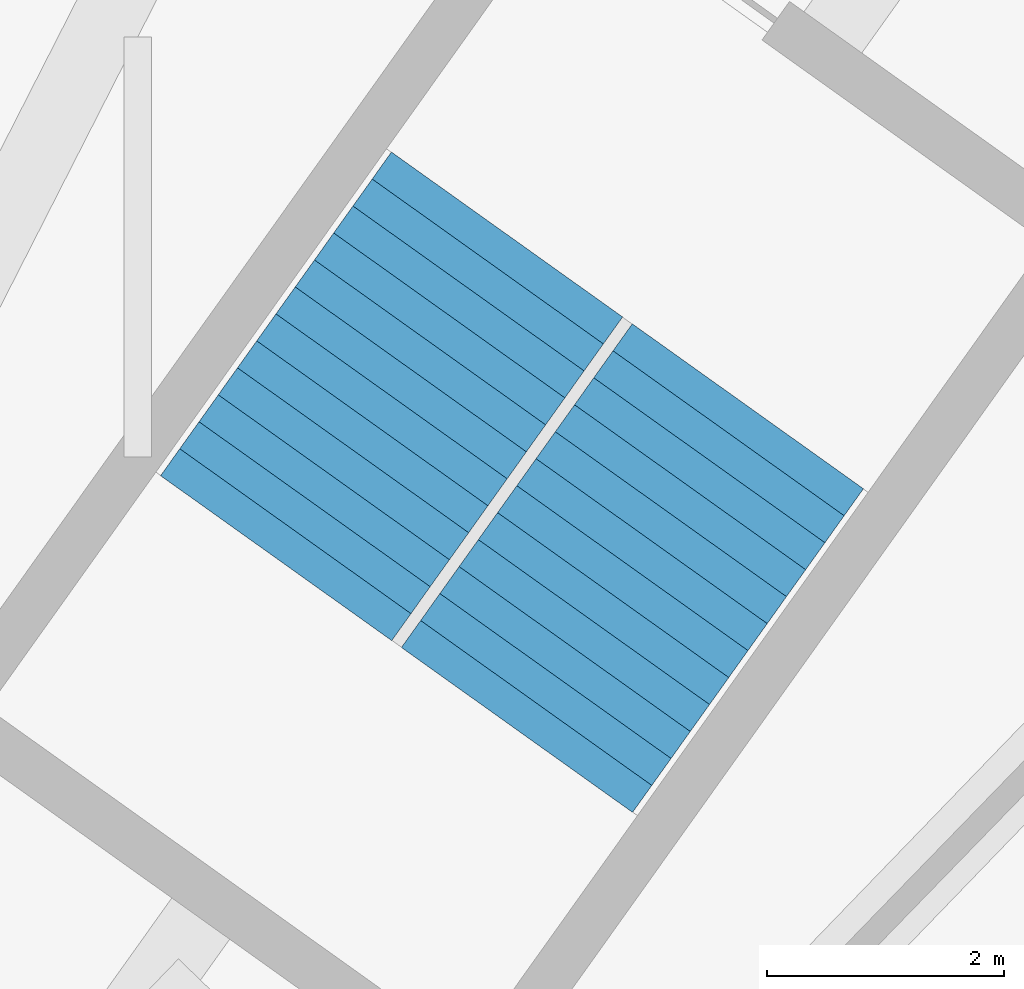
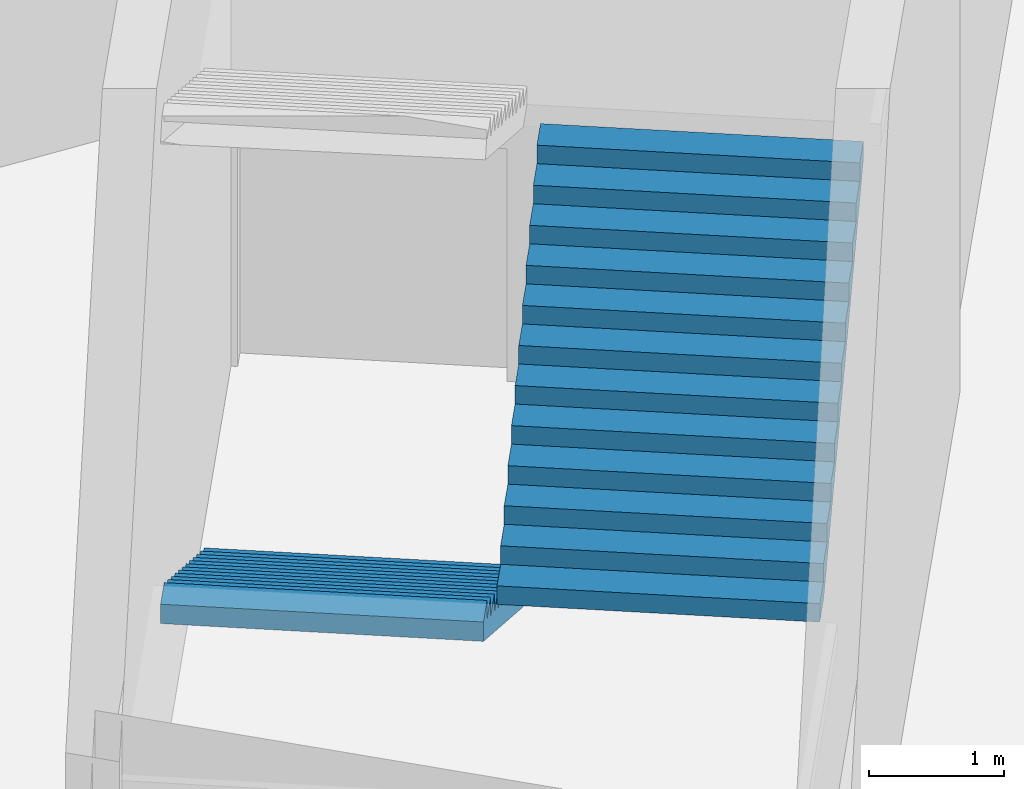
# One storey, part 41 of 47: 2 stair flights, 1 element without a shape of its own.
"""IFC4 building model written with IfcOpenShell, lengths in metres."""

from ifc_helpers import new_model, si_unit, direction, frame, origin, place, context, subcontext, project, spatial, triangles, material, type_object, element, aggregate, save


model = new_model("IFC4")

# Units and contexts
model_context = context("Model", 3, precision=1e-05, world=origin(), true_north=direction((0.0, 1.0)))
body_context = subcontext(model_context, "Body", "Model", "MODEL_VIEW")
ifc_project = project(units=[si_unit("LENGTHUNIT", "METRE"), si_unit("AREAUNIT", "SQUARE_METRE"), si_unit("VOLUMEUNIT", "CUBIC_METRE"), si_unit("PLANEANGLEUNIT", "RADIAN"), si_unit("MASSUNIT", "GRAM", prefix="KILO")], contexts=[model_context])

# Site, building, storey
site_placement = place(None, origin())
site = spatial("IfcSite", under=ifc_project, at=site_placement, CompositionType="ELEMENT")
building_placement = place(site_placement, origin())
building = spatial("IfcBuilding", under=site, at=building_placement, Name="Lantaw Convention Tower", CompositionType="ELEMENT")
storey_placement = place(building_placement, origin())
storey = spatial("IfcBuildingStorey", under=building, at=storey_placement, Name="L00", CompositionType="ELEMENT", Elevation=0.0)

# Stair, stair flights
ifc_material = material(Name="Concrete C35/45", Category="concrete")
stair_type = type_object("IfcStairType", Name="Exit stair 2400 riser 166.67 in 3 flights", PredefinedType="HALF_TURN_STAIR", material=ifc_material)
stair_placement = place(storey_placement, origin())
stair = element("IfcStair", 1, at=stair_placement, inside=storey, type_object=stair_type, Name="Podium exit stair P4 L00", PredefinedType="HALF_TURN_STAIR")
stair_flight_type = type_object("IfcStairFlightType", Name="Stair flight 2400 riser 166.67", PredefinedType="STRAIGHT", material=ifc_material)
stair_flight_1_placement = place(storey_placement, frame((18.92138671875, 28.679443359375, 0.0), z_axis=(0.0, 0.0, 1.0), x_axis=(-0.580702955711, -0.814115518356, 0.0)))
stair_flight_1 = element("IfcStairFlight", 2, at=stair_flight_1_placement, type_object=stair_flight_type, Name="P4 flight 1", NumberOfRisers=13, NumberOfTreads=12, PredefinedType="STRAIGHT", RiserHeight=0.166666667, TreadLength=0.28, context=body_context, shape_type="Tessellation", body=[
    triangles([(0.0, 1.199951171875, 0.0), (0.0, 1.199951171875, 0.166666667), (0.28, 1.199951171875, 0.0), (0.28, 1.199951171875, 0.166666667), (0.28, 1.199951171875, 0.333333334), (0.29307345806906815, 1.199951171875, 0.0), (0.29307345806906815, 1.199951171875, 0.333333334), (0.56, 1.199951171875, 0.15888484670522912), (0.56, 1.199951171875, 0.333333334), (0.56, 1.199951171875, 0.500000001), (0.8400000000000001, 1.199951171875, 0.3255515137052291), (0.8400000000000001, 1.199951171875, 0.500000001), (0.8400000000000001, 1.199951171875, 0.666666668), (1.12, 1.199951171875, 0.49221818070522905), (1.12, 1.199951171875, 0.666666668), (1.12, 1.199951171875, 0.833333335), (1.4000000000000001, 1.199951171875, 0.658884847705229), (1.4000000000000001, 1.199951171875, 0.833333335), (1.4000000000000001, 1.199951171875, 1.000000002), (1.6800000000000002, 1.199951171875, 0.825551514705229), (1.6800000000000002, 1.199951171875, 1.000000002), (1.6800000000000002, 1.199951171875, 1.166666669), (1.9600000000000002, 1.199951171875, 0.992218181705229), (1.9600000000000002, 1.199951171875, 1.166666669), (1.9600000000000002, 1.199951171875, 1.333333336), (2.24, 1.199951171875, 1.158884848705229), (2.24, 1.199951171875, 1.333333336), (2.24, 1.199951171875, 1.5000000029999998), (2.5200000000000005, 1.199951171875, 1.325551515705229), (2.5200000000000005, 1.199951171875, 1.5000000029999998), (2.5200000000000005, 1.199951171875, 1.66666667), (2.8000000000000003, 1.199951171875, 1.492218182705229), (2.8000000000000003, 1.199951171875, 1.66666667), (2.8000000000000003, 1.199951171875, 1.833333337), (3.08, 1.199951171875, 1.6588848497052289), (3.08, 1.199951171875, 1.833333337), (3.08, 1.199951171875, 2.000000004), (3.3600000000000003, 1.199951171875, 1.825551516705229), (3.3600000000000003, 1.199951171875, 2.000000004), (0.0, -1.199951171875, 0.0), (0.0, -1.199951171875, 0.166666667), (0.28, -1.199951171875, 0.0), (0.28, -1.199951171875, 0.166666667), (0.28, -1.199951171875, 0.333333334), (0.29307345806906815, -1.199951171875, 0.0), (0.29307345806906815, -1.199951171875, 0.333333334), (0.56, -1.199951171875, 0.15888484670522912), (0.56, -1.199951171875, 0.333333334), (0.56, -1.199951171875, 0.500000001), (0.8400000000000001, -1.199951171875, 0.3255515137052291), (0.8400000000000001, -1.199951171875, 0.500000001), (0.8400000000000001, -1.199951171875, 0.666666668), (1.12, -1.199951171875, 0.49221818070522905), (1.12, -1.199951171875, 0.666666668), (1.12, -1.199951171875, 0.833333335), (1.4000000000000001, -1.199951171875, 0.658884847705229), (1.4000000000000001, -1.199951171875, 0.833333335), (1.4000000000000001, -1.199951171875, 1.000000002), (1.6800000000000002, -1.199951171875, 0.825551514705229), (1.6800000000000002, -1.199951171875, 1.000000002), (1.6800000000000002, -1.199951171875, 1.166666669), (1.9600000000000002, -1.199951171875, 0.992218181705229), (1.9600000000000002, -1.199951171875, 1.166666669), (1.9600000000000002, -1.199951171875, 1.333333336), (2.24, -1.199951171875, 1.158884848705229), (2.24, -1.199951171875, 1.333333336), (2.24, -1.199951171875, 1.5000000029999998), (2.5200000000000005, -1.199951171875, 1.325551515705229), (2.5200000000000005, -1.199951171875, 1.5000000029999998), (2.5200000000000005, -1.199951171875, 1.66666667), (2.8000000000000003, -1.199951171875, 1.492218182705229), (2.8000000000000003, -1.199951171875, 1.66666667), (2.8000000000000003, -1.199951171875, 1.833333337), (3.08, -1.199951171875, 1.6588848497052289), (3.08, -1.199951171875, 1.833333337), (3.08, -1.199951171875, 2.000000004), (3.3600000000000003, -1.199951171875, 1.825551516705229), (3.3600000000000003, -1.199951171875, 2.000000004), (0.0, 0.239990234375, 0.166666667), (0.0, 0.239990234375, 0.0), (0.0, 0.0, 0.166666667), (0.0, 0.0, 0.0), (0.0, -0.239990234375, 0.166666667), (0.0, -0.239990234375, 0.0), (0.28, 0.239990234375, 0.333333334), (0.28, 0.239990234375, 0.166666667), (0.28, 0.0, 0.333333334), (0.28, 0.0, 0.166666667), (0.28, -0.239990234375, 0.333333334), (0.28, -0.239990234375, 0.166666667), (0.56, 0.239990234375, 0.500000001), (0.56, 0.239990234375, 0.333333334), (0.56, 0.0, 0.500000001), (0.56, 0.0, 0.333333334), (0.56, -0.239990234375, 0.500000001), (0.56, -0.239990234375, 0.333333334), (0.8400000000000001, 0.239990234375, 0.666666668), (0.8400000000000001, 0.239990234375, 0.500000001), (0.8400000000000001, 0.0, 0.666666668), (0.8400000000000001, 0.0, 0.500000001), (0.8400000000000001, -0.239990234375, 0.666666668), (0.8400000000000001, -0.239990234375, 0.500000001), (1.12, 0.239990234375, 0.833333335), (1.12, 0.239990234375, 0.666666668), (1.12, 0.0, 0.833333335), (1.12, 0.0, 0.666666668), (1.12, -0.239990234375, 0.833333335), (1.12, -0.239990234375, 0.666666668), (1.4000000000000001, 0.239990234375, 1.000000002), (1.4000000000000001, 0.239990234375, 0.833333335), (1.4000000000000001, 0.0, 1.000000002), (1.4000000000000001, 0.0, 0.833333335), (1.4000000000000001, -0.239990234375, 1.000000002), (1.4000000000000001, -0.239990234375, 0.833333335), (1.6800000000000002, 0.239990234375, 1.166666669), (1.6800000000000002, 0.239990234375, 1.000000002), (1.6800000000000002, 0.0, 1.166666669), (1.6800000000000002, 0.0, 1.000000002), (1.6800000000000002, -0.239990234375, 1.166666669), (1.6800000000000002, -0.239990234375, 1.000000002), (1.9600000000000002, 0.239990234375, 1.333333336), (1.9600000000000002, 0.239990234375, 1.166666669), (1.9600000000000002, 0.0, 1.333333336), (1.9600000000000002, 0.0, 1.166666669), (1.9600000000000002, -0.239990234375, 1.333333336), (1.9600000000000002, -0.239990234375, 1.166666669), (2.24, 0.239990234375, 1.5000000029999998), (2.24, 0.239990234375, 1.333333336), (2.24, 0.0, 1.5000000029999998), (2.24, 0.0, 1.333333336), (2.24, -0.239990234375, 1.5000000029999998), (2.24, -0.239990234375, 1.333333336), (2.5200000000000005, 0.239990234375, 1.66666667), (2.5200000000000005, 0.239990234375, 1.5000000029999998), (2.5200000000000005, 0.0, 1.66666667), (2.5200000000000005, 0.0, 1.5000000029999998), (2.5200000000000005, -0.239990234375, 1.66666667), (2.5200000000000005, -0.239990234375, 1.5000000029999998), (2.8000000000000003, 0.239990234375, 1.833333337), (2.8000000000000003, 0.239990234375, 1.66666667), (2.8000000000000003, 0.0, 1.833333337), (2.8000000000000003, 0.0, 1.66666667), (2.8000000000000003, -0.239990234375, 1.833333337), (2.8000000000000003, -0.239990234375, 1.66666667), (3.08, 0.239990234375, 2.000000004), (3.08, 0.239990234375, 1.833333337), (3.08, 0.0, 2.000000004), (3.08, 0.0, 1.833333337), (3.08, -0.239990234375, 2.000000004), (3.08, -0.239990234375, 1.833333337), (0.29307345806906815, 0.239990234375, 0.333333334), (0.29307345806906815, 0.0, 0.333333334), (0.29307345806906815, -0.239990234375, 0.333333334), (3.3600000000000003, 0.239990234375, 2.000000004), (3.3600000000000003, 0.0, 2.000000004), (3.3600000000000003, -0.239990234375, 2.000000004), (3.3600000000000003, 0.239990234375, 1.8255515167052292), (3.3600000000000003, 0.0, 1.8255515167052292), (3.3600000000000003, -0.239990234375, 1.8255515167052292), (3.08, 0.239990234375, 1.6588848497052289), (3.08, 0.0, 1.6588848497052289), (3.08, -0.239990234375, 1.6588848497052289), (2.8000000000000003, 0.239990234375, 1.492218182705229), (2.8000000000000003, 0.0, 1.492218182705229), (2.8000000000000003, -0.239990234375, 1.492218182705229), (2.5200000000000005, 0.239990234375, 1.325551515705229), (2.5200000000000005, 0.0, 1.325551515705229), (2.5200000000000005, -0.239990234375, 1.325551515705229), (2.24, 0.239990234375, 1.158884848705229), (2.24, 0.0, 1.158884848705229), (2.24, -0.239990234375, 1.158884848705229), (1.9600000000000002, 0.239990234375, 0.992218181705229), (1.9600000000000002, 0.0, 0.992218181705229), (1.9600000000000002, -0.239990234375, 0.992218181705229), (1.6800000000000002, 0.239990234375, 0.825551514705229), (1.6800000000000002, 0.0, 0.825551514705229), (1.6800000000000002, -0.239990234375, 0.825551514705229), (1.4000000000000001, 0.239990234375, 0.658884847705229), (1.4000000000000001, 0.0, 0.658884847705229), (1.4000000000000001, -0.239990234375, 0.658884847705229), (1.12, 0.239990234375, 0.49221818070522905), (1.12, 0.0, 0.49221818070522905), (1.12, -0.239990234375, 0.49221818070522905), (0.8400000000000001, 0.239990234375, 0.3255515137052291), (0.8400000000000001, 0.0, 0.3255515137052291), (0.8400000000000001, -0.239990234375, 0.3255515137052291), (0.56, 0.239990234375, 0.15888484670522912), (0.56, 0.0, 0.15888484670522912), (0.56, -0.239990234375, 0.15888484670522912), (0.29307345806906815, 0.239990234375, 0.0), (0.29307345806906815, 0.0, 0.0), (0.29307345806906815, -0.239990234375, 0.0), (0.28, 0.239990234375, 0.0), (0.28, 0.0, 0.0), (0.28, -0.239990234375, 0.0)], [[1, 4, 3], [1, 2, 4], [3, 4, 6], [4, 7, 6], [4, 5, 7], [6, 9, 8], [6, 7, 9], [8, 9, 11], [9, 12, 11], [9, 10, 12], [11, 12, 14], [12, 15, 14], [12, 13, 15], [14, 15, 17], [15, 18, 17], [15, 16, 18], [17, 18, 20], [18, 21, 20], [18, 19, 21], [20, 21, 23], [21, 24, 23], [21, 22, 24], [23, 24, 26], [24, 27, 26], [24, 25, 27], [26, 27, 29], [27, 30, 29], [27, 28, 30], [29, 30, 32], [30, 33, 32], [30, 31, 33], [32, 33, 35], [33, 36, 35], [33, 34, 36], [35, 36, 38], [36, 39, 38], [36, 37, 39], [40, 42, 43], [40, 43, 41], [42, 45, 43], [43, 45, 46], [43, 46, 44], [45, 47, 48], [45, 48, 46], [47, 50, 48], [48, 50, 51], [48, 51, 49], [50, 53, 51], [51, 53, 54], [51, 54, 52], [53, 56, 54], [54, 56, 57], [54, 57, 55], [56, 59, 57], [57, 59, 60], [57, 60, 58], [59, 62, 60], [60, 62, 63], [60, 63, 61], [62, 65, 63], [63, 65, 66], [63, 66, 64], [65, 68, 66], [66, 68, 69], [66, 69, 67], [68, 71, 69], [69, 71, 72], [69, 72, 70], [71, 74, 72], [72, 74, 75], [72, 75, 73], [74, 77, 75], [75, 77, 78], [75, 78, 76], [1, 79, 2], [1, 80, 79], [80, 81, 79], [80, 82, 81], [82, 83, 81], [82, 84, 83], [84, 41, 83], [84, 40, 41], [4, 85, 5], [4, 86, 85], [86, 87, 85], [86, 88, 87], [88, 89, 87], [88, 90, 89], [90, 44, 89], [90, 43, 44], [9, 91, 10], [9, 92, 91], [92, 93, 91], [92, 94, 93], [94, 95, 93], [94, 96, 95], [96, 49, 95], [96, 48, 49], [12, 97, 13], [12, 98, 97], [98, 99, 97], [98, 100, 99], [100, 101, 99], [100, 102, 101], [102, 52, 101], [102, 51, 52], [15, 103, 16], [15, 104, 103], [104, 105, 103], [104, 106, 105], [106, 107, 105], [106, 108, 107], [108, 55, 107], [108, 54, 55], [18, 109, 19], [18, 110, 109], [110, 111, 109], [110, 112, 111], [112, 113, 111], [112, 114, 113], [114, 58, 113], [114, 57, 58], [21, 115, 22], [21, 116, 115], [116, 117, 115], [116, 118, 117], [118, 119, 117], [118, 120, 119], [120, 61, 119], [120, 60, 61], [24, 121, 25], [24, 122, 121], [122, 123, 121], [122, 124, 123], [124, 125, 123], [124, 126, 125], [126, 64, 125], [126, 63, 64], [27, 127, 28], [27, 128, 127], [128, 129, 127], [128, 130, 129], [130, 131, 129], [130, 132, 131], [132, 67, 131], [132, 66, 67], [30, 133, 31], [30, 134, 133], [134, 135, 133], [134, 136, 135], [136, 137, 135], [136, 138, 137], [138, 70, 137], [138, 69, 70], [33, 139, 34], [33, 140, 139], [140, 141, 139], [140, 142, 141], [142, 143, 141], [142, 144, 143], [144, 73, 143], [144, 72, 73], [36, 145, 37], [36, 146, 145], [146, 147, 145], [146, 148, 147], [148, 149, 147], [148, 150, 149], [150, 76, 149], [150, 75, 76], [2, 86, 4], [2, 79, 86], [79, 88, 86], [79, 81, 88], [81, 90, 88], [81, 83, 90], [83, 43, 90], [83, 41, 43], [5, 151, 7], [5, 85, 151], [85, 152, 151], [85, 87, 152], [87, 153, 152], [87, 89, 153], [89, 46, 153], [89, 44, 46], [7, 92, 9], [7, 151, 92], [151, 94, 92], [151, 152, 94], [152, 96, 94], [152, 153, 96], [153, 48, 96], [153, 46, 48], [10, 98, 12], [10, 91, 98], [91, 100, 98], [91, 93, 100], [93, 102, 100], [93, 95, 102], [95, 51, 102], [95, 49, 51], [13, 104, 15], [13, 97, 104], [97, 106, 104], [97, 99, 106], [99, 108, 106], [99, 101, 108], [101, 54, 108], [101, 52, 54], [16, 110, 18], [16, 103, 110], [103, 112, 110], [103, 105, 112], [105, 114, 112], [105, 107, 114], [107, 57, 114], [107, 55, 57], [19, 116, 21], [19, 109, 116], [109, 118, 116], [109, 111, 118], [111, 120, 118], [111, 113, 120], [113, 60, 120], [113, 58, 60], [22, 122, 24], [22, 115, 122], [115, 124, 122], [115, 117, 124], [117, 126, 124], [117, 119, 126], [119, 63, 126], [119, 61, 63], [25, 128, 27], [25, 121, 128], [121, 130, 128], [121, 123, 130], [123, 132, 130], [123, 125, 132], [125, 66, 132], [125, 64, 66], [28, 134, 30], [28, 127, 134], [127, 136, 134], [127, 129, 136], [129, 138, 136], [129, 131, 138], [131, 69, 138], [131, 67, 69], [31, 140, 33], [31, 133, 140], [133, 142, 140], [133, 135, 142], [135, 144, 142], [135, 137, 144], [137, 72, 144], [137, 70, 72], [34, 146, 36], [34, 139, 146], [139, 148, 146], [139, 141, 148], [141, 150, 148], [141, 143, 150], [143, 75, 150], [143, 73, 75], [37, 154, 39], [37, 145, 154], [145, 155, 154], [145, 147, 155], [147, 156, 155], [147, 149, 156], [149, 78, 156], [149, 76, 78], [39, 157, 38], [39, 154, 157], [154, 158, 157], [154, 155, 158], [155, 159, 158], [155, 156, 159], [156, 77, 159], [156, 78, 77], [38, 160, 35], [38, 157, 160], [157, 161, 160], [157, 158, 161], [158, 162, 161], [158, 159, 162], [159, 74, 162], [159, 77, 74], [35, 163, 32], [35, 160, 163], [160, 164, 163], [160, 161, 164], [161, 165, 164], [161, 162, 165], [162, 71, 165], [162, 74, 71], [32, 166, 29], [32, 163, 166], [163, 167, 166], [163, 164, 167], [164, 168, 167], [164, 165, 168], [165, 68, 168], [165, 71, 68], [29, 169, 26], [29, 166, 169], [166, 170, 169], [166, 167, 170], [167, 171, 170], [167, 168, 171], [168, 65, 171], [168, 68, 65], [26, 172, 23], [26, 169, 172], [169, 173, 172], [169, 170, 173], [170, 174, 173], [170, 171, 174], [171, 62, 174], [171, 65, 62], [23, 175, 20], [23, 172, 175], [172, 176, 175], [172, 173, 176], [173, 177, 176], [173, 174, 177], [174, 59, 177], [174, 62, 59], [20, 178, 17], [20, 175, 178], [175, 179, 178], [175, 176, 179], [176, 180, 179], [176, 177, 180], [177, 56, 180], [177, 59, 56], [17, 181, 14], [17, 178, 181], [178, 182, 181], [178, 179, 182], [179, 183, 182], [179, 180, 183], [180, 53, 183], [180, 56, 53], [14, 184, 11], [14, 181, 184], [181, 185, 184], [181, 182, 185], [182, 186, 185], [182, 183, 186], [183, 50, 186], [183, 53, 50], [11, 187, 8], [11, 184, 187], [184, 188, 187], [184, 185, 188], [185, 189, 188], [185, 186, 189], [186, 47, 189], [186, 50, 47], [8, 190, 6], [8, 187, 190], [187, 191, 190], [187, 188, 191], [188, 192, 191], [188, 189, 192], [189, 45, 192], [189, 47, 45], [6, 193, 3], [6, 190, 193], [190, 194, 193], [190, 191, 194], [191, 195, 194], [191, 192, 195], [192, 42, 195], [192, 45, 42], [3, 80, 1], [3, 193, 80], [193, 82, 80], [193, 194, 82], [194, 84, 82], [194, 195, 84], [195, 40, 84], [195, 42, 40]], closed=True),
])
stair_flight_2_placement = place(storey_placement, frame((19.005615234375, 24.4921875, 2.166748046875), z_axis=(0.0, 0.0, 1.0), x_axis=(0.580702955711, 0.814115518356, 0.0)))
stair_flight_2 = element("IfcStairFlight", 3, at=stair_flight_2_placement, type_object=stair_flight_type, Name="P4 flight 2", NumberOfRisers=13, NumberOfTreads=12, PredefinedType="STRAIGHT", RiserHeight=0.166666667, TreadLength=0.28, context=body_context, shape_type="Tessellation", body=[
    triangles([(0.0, 1.199951171875, 0.0), (0.0, 1.199951171875, 0.166666667), (0.28, 1.199951171875, 0.0), (0.28, 1.199951171875, 0.166666667), (0.28, 1.199951171875, 0.333333334), (0.29307345806906815, 1.199951171875, 0.0), (0.29307345806906815, 1.199951171875, 0.333333334), (0.56, 1.199951171875, 0.15888484670522912), (0.56, 1.199951171875, 0.333333334), (0.56, 1.199951171875, 0.500000001), (0.8400000000000001, 1.199951171875, 0.3255515137052291), (0.8400000000000001, 1.199951171875, 0.500000001), (0.8400000000000001, 1.199951171875, 0.666666668), (1.12, 1.199951171875, 0.49221818070522905), (1.12, 1.199951171875, 0.666666668), (1.12, 1.199951171875, 0.833333335), (1.4000000000000001, 1.199951171875, 0.658884847705229), (1.4000000000000001, 1.199951171875, 0.833333335), (1.4000000000000001, 1.199951171875, 1.000000002), (1.6800000000000002, 1.199951171875, 0.825551514705229), (1.6800000000000002, 1.199951171875, 1.000000002), (1.6800000000000002, 1.199951171875, 1.166666669), (1.9600000000000002, 1.199951171875, 0.992218181705229), (1.9600000000000002, 1.199951171875, 1.166666669), (1.9600000000000002, 1.199951171875, 1.333333336), (2.24, 1.199951171875, 1.158884848705229), (2.24, 1.199951171875, 1.333333336), (2.24, 1.199951171875, 1.5000000029999998), (2.5200000000000005, 1.199951171875, 1.325551515705229), (2.5200000000000005, 1.199951171875, 1.5000000029999998), (2.5200000000000005, 1.199951171875, 1.66666667), (2.8000000000000003, 1.199951171875, 1.492218182705229), (2.8000000000000003, 1.199951171875, 1.66666667), (2.8000000000000003, 1.199951171875, 1.833333337), (3.08, 1.199951171875, 1.6588848497052289), (3.08, 1.199951171875, 1.833333337), (3.08, 1.199951171875, 2.000000004), (3.3600000000000003, 1.199951171875, 1.825551516705229), (3.3600000000000003, 1.199951171875, 2.000000004), (0.0, -1.199951171875, 0.0), (0.0, -1.199951171875, 0.166666667), (0.28, -1.199951171875, 0.0), (0.28, -1.199951171875, 0.166666667), (0.28, -1.199951171875, 0.333333334), (0.29307345806906815, -1.199951171875, 0.0), (0.29307345806906815, -1.199951171875, 0.333333334), (0.56, -1.199951171875, 0.15888484670522912), (0.56, -1.199951171875, 0.333333334), (0.56, -1.199951171875, 0.500000001), (0.8400000000000001, -1.199951171875, 0.3255515137052291), (0.8400000000000001, -1.199951171875, 0.500000001), (0.8400000000000001, -1.199951171875, 0.666666668), (1.12, -1.199951171875, 0.49221818070522905), (1.12, -1.199951171875, 0.666666668), (1.12, -1.199951171875, 0.833333335), (1.4000000000000001, -1.199951171875, 0.658884847705229), (1.4000000000000001, -1.199951171875, 0.833333335), (1.4000000000000001, -1.199951171875, 1.000000002), (1.6800000000000002, -1.199951171875, 0.825551514705229), (1.6800000000000002, -1.199951171875, 1.000000002), (1.6800000000000002, -1.199951171875, 1.166666669), (1.9600000000000002, -1.199951171875, 0.992218181705229), (1.9600000000000002, -1.199951171875, 1.166666669), (1.9600000000000002, -1.199951171875, 1.333333336), (2.24, -1.199951171875, 1.158884848705229), (2.24, -1.199951171875, 1.333333336), (2.24, -1.199951171875, 1.5000000029999998), (2.5200000000000005, -1.199951171875, 1.325551515705229), (2.5200000000000005, -1.199951171875, 1.5000000029999998), (2.5200000000000005, -1.199951171875, 1.66666667), (2.8000000000000003, -1.199951171875, 1.492218182705229), (2.8000000000000003, -1.199951171875, 1.66666667), (2.8000000000000003, -1.199951171875, 1.833333337), (3.08, -1.199951171875, 1.6588848497052289), (3.08, -1.199951171875, 1.833333337), (3.08, -1.199951171875, 2.000000004), (3.3600000000000003, -1.199951171875, 1.825551516705229), (3.3600000000000003, -1.199951171875, 2.000000004), (0.0, 0.239990234375, 0.166666667), (0.0, 0.239990234375, 0.0), (0.0, 0.0, 0.166666667), (0.0, 0.0, 0.0), (0.0, -0.239990234375, 0.166666667), (0.0, -0.239990234375, 0.0), (0.28, 0.239990234375, 0.333333334), (0.28, 0.239990234375, 0.166666667), (0.28, 0.0, 0.333333334), (0.28, 0.0, 0.166666667), (0.28, -0.239990234375, 0.333333334), (0.28, -0.239990234375, 0.166666667), (0.56, 0.239990234375, 0.500000001), (0.56, 0.239990234375, 0.333333334), (0.56, 0.0, 0.500000001), (0.56, 0.0, 0.333333334), (0.56, -0.239990234375, 0.500000001), (0.56, -0.239990234375, 0.333333334), (0.8400000000000001, 0.239990234375, 0.666666668), (0.8400000000000001, 0.239990234375, 0.500000001), (0.8400000000000001, 0.0, 0.666666668), (0.8400000000000001, 0.0, 0.500000001), (0.8400000000000001, -0.239990234375, 0.666666668), (0.8400000000000001, -0.239990234375, 0.500000001), (1.12, 0.239990234375, 0.833333335), (1.12, 0.239990234375, 0.666666668), (1.12, 0.0, 0.833333335), (1.12, 0.0, 0.666666668), (1.12, -0.239990234375, 0.833333335), (1.12, -0.239990234375, 0.666666668), (1.4000000000000001, 0.239990234375, 1.000000002), (1.4000000000000001, 0.239990234375, 0.833333335), (1.4000000000000001, 0.0, 1.000000002), (1.4000000000000001, 0.0, 0.833333335), (1.4000000000000001, -0.239990234375, 1.000000002), (1.4000000000000001, -0.239990234375, 0.833333335), (1.6800000000000002, 0.239990234375, 1.166666669), (1.6800000000000002, 0.239990234375, 1.000000002), (1.6800000000000002, 0.0, 1.166666669), (1.6800000000000002, 0.0, 1.000000002), (1.6800000000000002, -0.239990234375, 1.166666669), (1.6800000000000002, -0.239990234375, 1.000000002), (1.9600000000000002, 0.239990234375, 1.333333336), (1.9600000000000002, 0.239990234375, 1.166666669), (1.9600000000000002, 0.0, 1.333333336), (1.9600000000000002, 0.0, 1.166666669), (1.9600000000000002, -0.239990234375, 1.333333336), (1.9600000000000002, -0.239990234375, 1.166666669), (2.24, 0.239990234375, 1.5000000029999998), (2.24, 0.239990234375, 1.333333336), (2.24, 0.0, 1.5000000029999998), (2.24, 0.0, 1.333333336), (2.24, -0.239990234375, 1.5000000029999998), (2.24, -0.239990234375, 1.333333336), (2.5200000000000005, 0.239990234375, 1.66666667), (2.5200000000000005, 0.239990234375, 1.5000000029999998), (2.5200000000000005, 0.0, 1.66666667), (2.5200000000000005, 0.0, 1.5000000029999998), (2.5200000000000005, -0.239990234375, 1.66666667), (2.5200000000000005, -0.239990234375, 1.5000000029999998), (2.8000000000000003, 0.239990234375, 1.833333337), (2.8000000000000003, 0.239990234375, 1.66666667), (2.8000000000000003, 0.0, 1.833333337), (2.8000000000000003, 0.0, 1.66666667), (2.8000000000000003, -0.239990234375, 1.833333337), (2.8000000000000003, -0.239990234375, 1.66666667), (3.08, 0.239990234375, 2.000000004), (3.08, 0.239990234375, 1.833333337), (3.08, 0.0, 2.000000004), (3.08, 0.0, 1.833333337), (3.08, -0.239990234375, 2.000000004), (3.08, -0.239990234375, 1.833333337), (0.29307345806906815, 0.239990234375, 0.333333334), (0.29307345806906815, 0.0, 0.333333334), (0.29307345806906815, -0.239990234375, 0.333333334), (3.3600000000000003, 0.239990234375, 2.000000004), (3.3600000000000003, 0.0, 2.000000004), (3.3600000000000003, -0.239990234375, 2.000000004), (3.3600000000000003, 0.239990234375, 1.8255515167052292), (3.3600000000000003, 0.0, 1.8255515167052292), (3.3600000000000003, -0.239990234375, 1.8255515167052292), (3.08, 0.239990234375, 1.6588848497052289), (3.08, 0.0, 1.6588848497052289), (3.08, -0.239990234375, 1.6588848497052289), (2.8000000000000003, 0.239990234375, 1.492218182705229), (2.8000000000000003, 0.0, 1.492218182705229), (2.8000000000000003, -0.239990234375, 1.492218182705229), (2.5200000000000005, 0.239990234375, 1.325551515705229), (2.5200000000000005, 0.0, 1.325551515705229), (2.5200000000000005, -0.239990234375, 1.325551515705229), (2.24, 0.239990234375, 1.158884848705229), (2.24, 0.0, 1.158884848705229), (2.24, -0.239990234375, 1.158884848705229), (1.9600000000000002, 0.239990234375, 0.992218181705229), (1.9600000000000002, 0.0, 0.992218181705229), (1.9600000000000002, -0.239990234375, 0.992218181705229), (1.6800000000000002, 0.239990234375, 0.825551514705229), (1.6800000000000002, 0.0, 0.825551514705229), (1.6800000000000002, -0.239990234375, 0.825551514705229), (1.4000000000000001, 0.239990234375, 0.658884847705229), (1.4000000000000001, 0.0, 0.658884847705229), (1.4000000000000001, -0.239990234375, 0.658884847705229), (1.12, 0.239990234375, 0.49221818070522905), (1.12, 0.0, 0.49221818070522905), (1.12, -0.239990234375, 0.49221818070522905), (0.8400000000000001, 0.239990234375, 0.3255515137052291), (0.8400000000000001, 0.0, 0.3255515137052291), (0.8400000000000001, -0.239990234375, 0.3255515137052291), (0.56, 0.239990234375, 0.15888484670522912), (0.56, 0.0, 0.15888484670522912), (0.56, -0.239990234375, 0.15888484670522912), (0.29307345806906815, 0.239990234375, 0.0), (0.29307345806906815, 0.0, 0.0), (0.29307345806906815, -0.239990234375, 0.0), (0.28, 0.239990234375, 0.0), (0.28, 0.0, 0.0), (0.28, -0.239990234375, 0.0)], [[1, 4, 3], [1, 2, 4], [3, 4, 6], [4, 7, 6], [4, 5, 7], [6, 9, 8], [6, 7, 9], [8, 9, 11], [9, 12, 11], [9, 10, 12], [11, 12, 14], [12, 15, 14], [12, 13, 15], [14, 15, 17], [15, 18, 17], [15, 16, 18], [17, 18, 20], [18, 21, 20], [18, 19, 21], [20, 21, 23], [21, 24, 23], [21, 22, 24], [23, 24, 26], [24, 27, 26], [24, 25, 27], [26, 27, 29], [27, 30, 29], [27, 28, 30], [29, 30, 32], [30, 33, 32], [30, 31, 33], [32, 33, 35], [33, 36, 35], [33, 34, 36], [35, 36, 38], [36, 39, 38], [36, 37, 39], [40, 42, 43], [40, 43, 41], [42, 45, 43], [43, 45, 46], [43, 46, 44], [45, 47, 48], [45, 48, 46], [47, 50, 48], [48, 50, 51], [48, 51, 49], [50, 53, 51], [51, 53, 54], [51, 54, 52], [53, 56, 54], [54, 56, 57], [54, 57, 55], [56, 59, 57], [57, 59, 60], [57, 60, 58], [59, 62, 60], [60, 62, 63], [60, 63, 61], [62, 65, 63], [63, 65, 66], [63, 66, 64], [65, 68, 66], [66, 68, 69], [66, 69, 67], [68, 71, 69], [69, 71, 72], [69, 72, 70], [71, 74, 72], [72, 74, 75], [72, 75, 73], [74, 77, 75], [75, 77, 78], [75, 78, 76], [1, 79, 2], [1, 80, 79], [80, 81, 79], [80, 82, 81], [82, 83, 81], [82, 84, 83], [84, 41, 83], [84, 40, 41], [4, 85, 5], [4, 86, 85], [86, 87, 85], [86, 88, 87], [88, 89, 87], [88, 90, 89], [90, 44, 89], [90, 43, 44], [9, 91, 10], [9, 92, 91], [92, 93, 91], [92, 94, 93], [94, 95, 93], [94, 96, 95], [96, 49, 95], [96, 48, 49], [12, 97, 13], [12, 98, 97], [98, 99, 97], [98, 100, 99], [100, 101, 99], [100, 102, 101], [102, 52, 101], [102, 51, 52], [15, 103, 16], [15, 104, 103], [104, 105, 103], [104, 106, 105], [106, 107, 105], [106, 108, 107], [108, 55, 107], [108, 54, 55], [18, 109, 19], [18, 110, 109], [110, 111, 109], [110, 112, 111], [112, 113, 111], [112, 114, 113], [114, 58, 113], [114, 57, 58], [21, 115, 22], [21, 116, 115], [116, 117, 115], [116, 118, 117], [118, 119, 117], [118, 120, 119], [120, 61, 119], [120, 60, 61], [24, 121, 25], [24, 122, 121], [122, 123, 121], [122, 124, 123], [124, 125, 123], [124, 126, 125], [126, 64, 125], [126, 63, 64], [27, 127, 28], [27, 128, 127], [128, 129, 127], [128, 130, 129], [130, 131, 129], [130, 132, 131], [132, 67, 131], [132, 66, 67], [30, 133, 31], [30, 134, 133], [134, 135, 133], [134, 136, 135], [136, 137, 135], [136, 138, 137], [138, 70, 137], [138, 69, 70], [33, 139, 34], [33, 140, 139], [140, 141, 139], [140, 142, 141], [142, 143, 141], [142, 144, 143], [144, 73, 143], [144, 72, 73], [36, 145, 37], [36, 146, 145], [146, 147, 145], [146, 148, 147], [148, 149, 147], [148, 150, 149], [150, 76, 149], [150, 75, 76], [2, 86, 4], [2, 79, 86], [79, 88, 86], [79, 81, 88], [81, 90, 88], [81, 83, 90], [83, 43, 90], [83, 41, 43], [5, 151, 7], [5, 85, 151], [85, 152, 151], [85, 87, 152], [87, 153, 152], [87, 89, 153], [89, 46, 153], [89, 44, 46], [7, 92, 9], [7, 151, 92], [151, 94, 92], [151, 152, 94], [152, 96, 94], [152, 153, 96], [153, 48, 96], [153, 46, 48], [10, 98, 12], [10, 91, 98], [91, 100, 98], [91, 93, 100], [93, 102, 100], [93, 95, 102], [95, 51, 102], [95, 49, 51], [13, 104, 15], [13, 97, 104], [97, 106, 104], [97, 99, 106], [99, 108, 106], [99, 101, 108], [101, 54, 108], [101, 52, 54], [16, 110, 18], [16, 103, 110], [103, 112, 110], [103, 105, 112], [105, 114, 112], [105, 107, 114], [107, 57, 114], [107, 55, 57], [19, 116, 21], [19, 109, 116], [109, 118, 116], [109, 111, 118], [111, 120, 118], [111, 113, 120], [113, 60, 120], [113, 58, 60], [22, 122, 24], [22, 115, 122], [115, 124, 122], [115, 117, 124], [117, 126, 124], [117, 119, 126], [119, 63, 126], [119, 61, 63], [25, 128, 27], [25, 121, 128], [121, 130, 128], [121, 123, 130], [123, 132, 130], [123, 125, 132], [125, 66, 132], [125, 64, 66], [28, 134, 30], [28, 127, 134], [127, 136, 134], [127, 129, 136], [129, 138, 136], [129, 131, 138], [131, 69, 138], [131, 67, 69], [31, 140, 33], [31, 133, 140], [133, 142, 140], [133, 135, 142], [135, 144, 142], [135, 137, 144], [137, 72, 144], [137, 70, 72], [34, 146, 36], [34, 139, 146], [139, 148, 146], [139, 141, 148], [141, 150, 148], [141, 143, 150], [143, 75, 150], [143, 73, 75], [37, 154, 39], [37, 145, 154], [145, 155, 154], [145, 147, 155], [147, 156, 155], [147, 149, 156], [149, 78, 156], [149, 76, 78], [39, 157, 38], [39, 154, 157], [154, 158, 157], [154, 155, 158], [155, 159, 158], [155, 156, 159], [156, 77, 159], [156, 78, 77], [38, 160, 35], [38, 157, 160], [157, 161, 160], [157, 158, 161], [158, 162, 161], [158, 159, 162], [159, 74, 162], [159, 77, 74], [35, 163, 32], [35, 160, 163], [160, 164, 163], [160, 161, 164], [161, 165, 164], [161, 162, 165], [162, 71, 165], [162, 74, 71], [32, 166, 29], [32, 163, 166], [163, 167, 166], [163, 164, 167], [164, 168, 167], [164, 165, 168], [165, 68, 168], [165, 71, 68], [29, 169, 26], [29, 166, 169], [166, 170, 169], [166, 167, 170], [167, 171, 170], [167, 168, 171], [168, 65, 171], [168, 68, 65], [26, 172, 23], [26, 169, 172], [169, 173, 172], [169, 170, 173], [170, 174, 173], [170, 171, 174], [171, 62, 174], [171, 65, 62], [23, 175, 20], [23, 172, 175], [172, 176, 175], [172, 173, 176], [173, 177, 176], [173, 174, 177], [174, 59, 177], [174, 62, 59], [20, 178, 17], [20, 175, 178], [175, 179, 178], [175, 176, 179], [176, 180, 179], [176, 177, 180], [177, 56, 180], [177, 59, 56], [17, 181, 14], [17, 178, 181], [178, 182, 181], [178, 179, 182], [179, 183, 182], [179, 180, 183], [180, 53, 183], [180, 56, 53], [14, 184, 11], [14, 181, 184], [181, 185, 184], [181, 182, 185], [182, 186, 185], [182, 183, 186], [183, 50, 186], [183, 53, 50], [11, 187, 8], [11, 184, 187], [184, 188, 187], [184, 185, 188], [185, 189, 188], [185, 186, 189], [186, 47, 189], [186, 50, 47], [8, 190, 6], [8, 187, 190], [187, 191, 190], [187, 188, 191], [188, 192, 191], [188, 189, 192], [189, 45, 192], [189, 47, 45], [6, 193, 3], [6, 190, 193], [190, 194, 193], [190, 191, 194], [191, 195, 194], [191, 192, 195], [192, 42, 195], [192, 45, 42], [3, 80, 1], [3, 193, 80], [193, 82, 80], [193, 194, 82], [194, 84, 82], [194, 195, 84], [195, 40, 84], [195, 42, 40]], closed=True),
])
aggregate(stair, [stair_flight_1, stair_flight_2])

save(model, "model.ifc")
